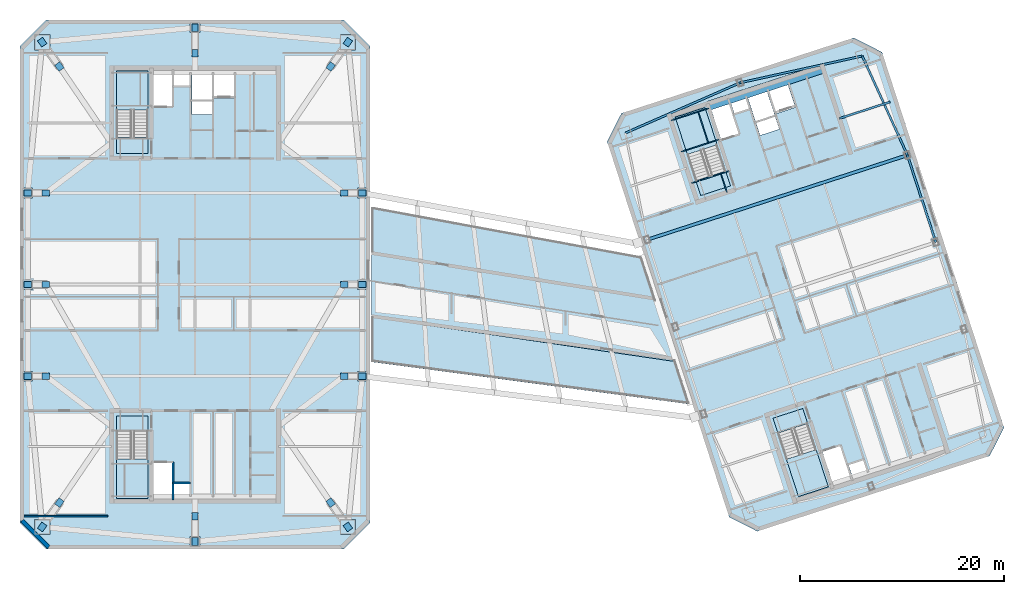
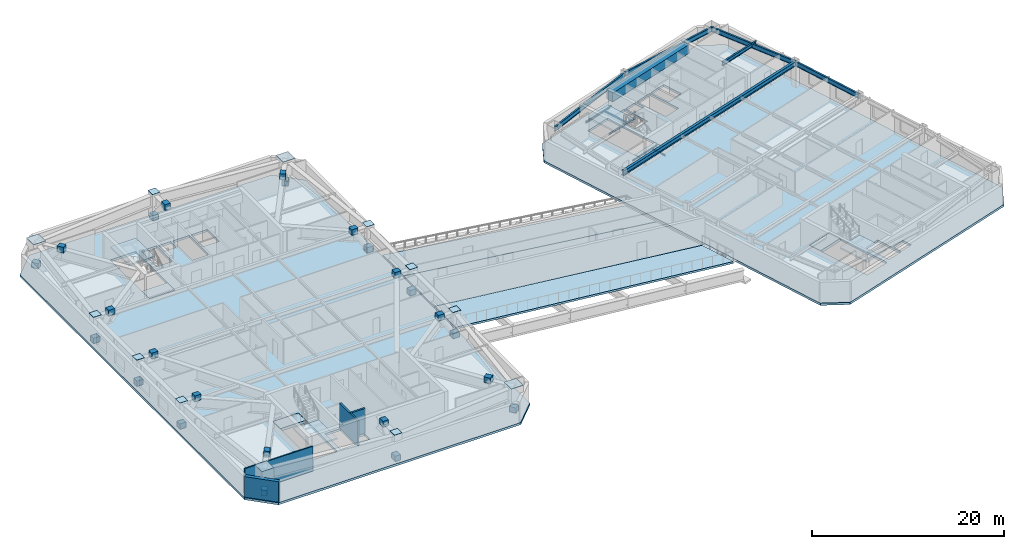
# One storey, part 5 of 18: 36 plates, 13 slabs, 12 beams, 4 walls, 4 elements without a shape of their own.
"""IFC4 building model written with IfcOpenShell, lengths in metres."""

import ifcopenshell
import ifcopenshell.guid

model = None  # the IFC model being written
_history = None  # IfcOwnerHistory: only IFC2X3 demands one
_inside = {}  # id of a spatial element -> (the spatial element, [elements in it])
_under = {}  # id of a project, library or spatial element -> (it, [spatial elements below it])
_declared = {}  # id of a project -> (the project, [libraries it declares])
_typed = {}  # id of a type object -> (the type object, [elements of that type])
_made_of = {}  # id of a material, layer set ... -> (it, [elements and type objects made of it])


def new_model(schema):
    """Start an empty IFC model of exactly this schema.

    Asked for "IFC4X3", IfcOpenShell would pick the latest addendum, in which some entities
    have other attributes; the version numbers below select the first issue.
    IFC2X3 requires an IfcOwnerHistory on every rooted entity: one is made here for all.
    """
    global model, _history
    if schema == "IFC4X3":
        model = ifcopenshell.file(schema_version=(4, 3, 0, 0))
    else:
        model = ifcopenshell.file(schema=schema)
    _inside.clear()
    _under.clear()
    _declared.clear()
    _typed.clear()
    _made_of.clear()
    _history = None
    if model.schema == "IFC2X3":
        org = make("IfcOrganization", Name="unknown")
        user = make(
            "IfcPersonAndOrganization",
            ThePerson=make("IfcPerson", FamilyName="unknown"),
            TheOrganization=org,
        )
        app = make(
            "IfcApplication",
            ApplicationDeveloper=org,
            Version="unknown",
            ApplicationFullName="unknown",
            ApplicationIdentifier="unknown",
        )
        _history = make(
            "IfcOwnerHistory",
            OwningUser=user,
            OwningApplication=app,
            ChangeAction="ADDED",
            CreationDate=0,
        )
    return model


def make(cls, **values):
    """One entity of the class cls with the attributes given. An attribute that is None is left unset."""
    return model.create_entity(
        cls, **{name: value for name, value in values.items() if value is not None}
    )


def rooted(cls, **values):
    """An entity with a GlobalId (a new one), such as an element, a storey or a relation."""
    return make(cls, GlobalId=ifcopenshell.guid.new(), OwnerHistory=_history, **values)


def si_unit(unit_type, name, prefix=None):
    """IfcSIUnit, for example si_unit("LENGTHUNIT", "METRE", prefix="MILLI")."""
    return make("IfcSIUnit", UnitType=unit_type, Prefix=prefix, Name=name)


def assignment(units):
    """IfcUnitAssignment: the units of a project."""
    return None if units is None else make("IfcUnitAssignment", Units=units)


def point(xyz):
    """IfcCartesianPoint."""
    return None if xyz is None else make("IfcCartesianPoint", Coordinates=xyz)


def direction(xyz):
    """IfcDirection."""
    return None if xyz is None else make("IfcDirection", DirectionRatios=xyz)


def frame(location, z_axis=None, x_axis=None):
    """IfcAxis2Placement3D, a coordinate frame: its origin and axes. An axis left out is left unset."""
    return make(
        "IfcAxis2Placement3D",
        Location=point(location),
        Axis=direction(z_axis),
        RefDirection=direction(x_axis),
    )


def frame_2d(location, x_axis=None):
    """IfcAxis2Placement2D, a coordinate frame in the plane: its origin and x axis."""
    return make(
        "IfcAxis2Placement2D", Location=point(location), RefDirection=direction(x_axis)
    )


def origin():
    """The frame at (0, 0, 0) with its axes left unset."""
    return frame((0.0, 0.0, 0.0))


def origin_2d():
    """The frame at (0, 0) in the plane with its x axis left unset."""
    return frame_2d((0.0, 0.0))


def place(relative_to, where):
    """IfcLocalPlacement: puts the frame where relative to a parent placement (None: the world)."""
    return make(
        "IfcLocalPlacement", PlacementRelTo=relative_to, RelativePlacement=where
    )


def context(
    kind, dimensions, precision=None, world=None, true_north=None, identifier=None
):
    """IfcGeometricRepresentationContext, for example the 3D "Model" context."""
    return make(
        "IfcGeometricRepresentationContext",
        ContextIdentifier=identifier,
        ContextType=kind,
        CoordinateSpaceDimension=dimensions,
        Precision=precision,
        WorldCoordinateSystem=world,
        TrueNorth=true_north,
    )


def subcontext(parent, identifier, kind, view, scale=None):
    """IfcGeometricRepresentationSubContext, for example "Body" below "Model"."""
    return make(
        "IfcGeometricRepresentationSubContext",
        ContextIdentifier=identifier,
        ContextType=kind,
        ParentContext=parent,
        TargetScale=scale,
        TargetView=view,
    )


def project(units=None, contexts=None):
    """IfcProject with its units and contexts."""
    return rooted(
        "IfcProject",
        Name="project",
        RepresentationContexts=contexts,
        UnitsInContext=assignment(units),
    )


def spatial(cls, under=None, at=None, **own):
    """A site, building, storey or space (cls), placed at a placement, below another one or the project."""
    s = rooted(cls, ObjectPlacement=at, **own)
    if under is not None:
        _under.setdefault(under.id(), (under, []))[1].append(s)
    return s


def polyline(points):
    """IfcPolyline through the points."""
    return make("IfcPolyline", Points=[point(p) for p in points])


def profile(cls, at=None, kind="AREA", **sizes):
    """A parametric profile (cls). Its sizes go by their IFC names, for example OverallWidth=200.0."""
    return make(cls, ProfileType=kind, Position=at, **sizes)


def rectangle(**sizes):
    """IfcRectangleProfileDef."""
    return profile("IfcRectangleProfileDef", **sizes)


def i_section(**sizes):
    """IfcIShapeProfileDef."""
    return profile("IfcIShapeProfileDef", **sizes)


def outline(outer, holes=None, kind="AREA"):
    """IfcArbitraryClosedProfileDef: a profile drawn as a closed curve; with holes, ...WithVoids."""
    if holes is None:
        return make("IfcArbitraryClosedProfileDef", ProfileType=kind, OuterCurve=outer)
    return make(
        "IfcArbitraryProfileDefWithVoids",
        ProfileType=kind,
        OuterCurve=outer,
        InnerCurves=holes,
    )


def extrude(swept, where, along, depth):
    """IfcExtrudedAreaSolid: the profile swept, set in the frame where, extruded along a direction by depth."""
    return make(
        "IfcExtrudedAreaSolid",
        SweptArea=swept,
        Position=where,
        ExtrudedDirection=direction(along),
        Depth=depth,
    )


def shape(context_of_items, identifier, shape_type, items):
    """IfcShapeRepresentation: the items that make up one representation, for example the "Body"."""
    return make(
        "IfcShapeRepresentation",
        ContextOfItems=context_of_items,
        RepresentationIdentifier=identifier,
        RepresentationType=shape_type,
        Items=items,
    )


def material(Name=None, Category=None):
    """IfcMaterial."""
    return make("IfcMaterial", Name=Name, Category=Category)


def layer(
    of_material, thickness, ventilated=None, Name=None, Category=None, Priority=None
):
    """IfcMaterialLayer: one layer of a wall or slab, of a material (None: an air gap)."""
    return make(
        "IfcMaterialLayer",
        Material=of_material,
        LayerThickness=thickness,
        IsVentilated=ventilated,
        Name=Name,
        Category=Category,
        Priority=Priority,
    )


def layer_set(layers, Name=None):
    """IfcMaterialLayerSet."""
    return make("IfcMaterialLayerSet", MaterialLayers=layers, LayerSetName=Name)


def material_profile(
    of_material, cross_section, Name=None, Category=None, Priority=None
):
    """IfcMaterialProfile: a cross section and its material."""
    return make(
        "IfcMaterialProfile",
        Name=Name,
        Material=of_material,
        Profile=cross_section,
        Priority=Priority,
        Category=Category,
    )


def profile_set(profiles, Name=None, composite=None):
    """IfcMaterialProfileSet."""
    return make(
        "IfcMaterialProfileSet",
        Name=Name,
        MaterialProfiles=profiles,
        CompositeProfile=composite,
    )


def made_of(thing, what):
    """Note that an element or type object is made of a material, layer set ...; save() writes the relation."""
    if what is not None:
        _made_of.setdefault(what.id(), (what, []))[1].append(thing)
    return thing


def type_object(cls, material=None, **own):
    """A type object (cls), such as IfcWallType, which elements share."""
    return made_of(rooted(cls, **own), material)


def element(
    cls,
    number,
    at=None,
    inside=None,
    cuts=None,
    type_object=None,
    material=None,
    context=None,
    identifier="Body",
    shape_type=None,
    held_by="IfcProductDefinitionShape",
    body=None,
    shapes=None,
    **own,
):
    """One element of the class cls, such as IfcWall. Its Tag is "e" and its number.

    at: its placement. inside: the storey or other place that contains it. cuts: it is an
    opening in that element (IfcRelVoidsElement). A single representation is given by context,
    identifier, shape_type and body (its items); several are given by shapes. held_by: the class
    of the entity that holds the representations. save() writes the other relations.
    """
    e = rooted(cls, Tag="e%d" % number, ObjectPlacement=at, **own)
    if body is not None:
        shapes = [shape(context, identifier, shape_type, body)]
    if shapes is not None:
        e.Representation = make(held_by, Representations=shapes)
    if inside is not None:
        _inside.setdefault(inside.id(), (inside, []))[1].append(e)
    if cuts is not None:
        rooted(
            "IfcRelVoidsElement", RelatingBuildingElement=cuts, RelatedOpeningElement=e
        )
    if type_object is not None:
        _typed.setdefault(type_object.id(), (type_object, []))[1].append(e)
    return made_of(e, material)


def aggregate(whole, parts):
    """IfcRelAggregates: a whole, such as a stair, and the parts it consists of."""
    return rooted("IfcRelAggregates", RelatingObject=whole, RelatedObjects=parts)


def save(model, path):
    """Write the relations noted so far, then the file.

    IfcRelAggregates (storeys below a building ...), IfcRelContainedInSpatialStructure (elements
    in a storey), IfcRelDefinesByType, IfcRelAssociatesMaterial and IfcRelDeclares: one each for
    every whole, place, type object, material and project.
    """
    for whole, parts in _under.values():
        aggregate(whole, parts)
    for where, things in _inside.values():
        rooted(
            "IfcRelContainedInSpatialStructure",
            RelatedElements=things,
            RelatingStructure=where,
        )
    for kind, things in _typed.values():
        rooted("IfcRelDefinesByType", RelatedObjects=things, RelatingType=kind)
    for what, things in _made_of.values():
        rooted("IfcRelAssociatesMaterial", RelatedObjects=things, RelatingMaterial=what)
    for by, libraries in _declared.values():
        rooted("IfcRelDeclares", RelatingContext=by, RelatedDefinitions=libraries)
    model.write(path)


model = new_model("IFC4")

# Units and contexts
model_context = context("Model", 3, precision=1e-05, world=origin(), true_north=direction((0.0, 1.0)))
body_context = subcontext(model_context, "Body", "Model", "MODEL_VIEW")
ifc_project = project(units=[si_unit("LENGTHUNIT", "METRE"), si_unit("AREAUNIT", "SQUARE_METRE"), si_unit("VOLUMEUNIT", "CUBIC_METRE"), si_unit("PLANEANGLEUNIT", "RADIAN"), si_unit("MASSUNIT", "GRAM", prefix="KILO")], contexts=[model_context])

# Site, building, storey
site_placement = place(None, origin())
site = spatial("IfcSite", under=ifc_project, at=site_placement, CompositionType="ELEMENT")
building_placement = place(site_placement, origin())
building = spatial("IfcBuilding", under=site, at=building_placement, Name="Qiaolan Cultural Towers", CompositionType="ELEMENT")
storey_placement = place(building_placement, frame((0.0, 0.0, 219.64990234375)))
storey = spatial("IfcBuildingStorey", under=building, at=storey_placement, Name="L59", CompositionType="ELEMENT", Elevation=219.64990234375)

# Beams
ifc_material_1 = material(Name="Steel Q355B", Category="steel")
ifc_material_profile_1 = material_profile(ifc_material_1, i_section(OverallWidth=0.300048828125, OverallDepth=0.587890625, WebThickness=0.011962890625, FlangeThickness=0.02001953125, at=origin_2d()), Name="HM588x300x12x20")
ifc_profile_set_1 = profile_set([ifc_material_profile_1], Name="Steel Q355B")
beam_type_1 = type_object("IfcBeamType", Name="BM-HM588x300x12x20", PredefinedType="BEAM", material=ifc_profile_set_1)
beam_1_placement = place(storey_placement, frame((74.42724609375, 38.4033203125, 2.89599609375), z_axis=(0.951056543098, 0.309016911884, 0.0), x_axis=(-0.309016911884, 0.951056543098, 0.0)))
element("IfcBeam", 1, at=beam_1_placement, inside=storey, type_object=beam_type_1, Name="L59 T2 Primary Transverse Girder V3", PredefinedType="BEAM", context=body_context, shape_type="SweptSolid", body=[
    extrude(i_section(OverallWidth=0.300048828125, OverallDepth=0.587890625, WebThickness=0.011962890625, FlangeThickness=0.02001953125, at=origin_2d()), origin(), (0.0, 0.0, 1.0), 26.89990234375),
])
ifc_material_2 = material(Name="Steel Q355B", Category="steel")
ifc_material_profile_2 = material_profile(ifc_material_2, i_section(OverallWidth=0.199951171875, OverallDepth=0.449951171875, WebThickness=0.009033203125, FlangeThickness=0.013916015625, at=origin_2d()), Name="HN450x200x9x14")
ifc_profile_set_2 = profile_set([ifc_material_profile_2], Name="Steel Q355B")
beam_type_2 = type_object("IfcBeamType", Name="BM-LNT-HN450x200x9x14", PredefinedType="LINTEL", material=ifc_profile_set_2)
beam_2_placement = place(storey_placement, frame((93.31787109375, 50.32421875, 2.965087890625), z_axis=(0.951060037126, 0.309006158161, 0.0), x_axis=(-0.309006158161, 0.951060037126, 0.0)))
element("IfcBeam", 2, at=beam_2_placement, inside=storey, type_object=beam_type_2, Name="L59 T2 Core Flank Tie Lintel EN", PredefinedType="LINTEL", context=body_context, shape_type="SweptSolid", body=[
    extrude(i_section(OverallWidth=0.199951171875, OverallDepth=0.449951171875, WebThickness=0.009033203125, FlangeThickness=0.013916015625, at=origin_2d()), origin(), (0.0, 0.0, 1.0), 5.25),
])
ifc_material_3 = material(Name="Concrete C50", Category="concrete")
ifc_material_profile_3 = material_profile(ifc_material_3, rectangle(XDim=0.89990234375, YDim=1.10009765625, at=origin_2d()), Name="RC900x1100")
ifc_profile_set_3 = profile_set([ifc_material_profile_3], Name="Concrete C50")
beam_type_3 = type_object("IfcBeamType", Name="BM-RC900x1100", PredefinedType="BEAM", material=ifc_profile_set_3)
beam_3_placement = place(storey_placement, frame((80.427978515625, 51.551025390625, 2.64013671875), z_axis=(0.951056266386, 0.309017763514, 0.0), x_axis=(-0.309017763514, 0.951056266386, 0.0)))
element("IfcBeam", 3, at=beam_3_placement, inside=storey, type_object=beam_type_3, Name="L59 T2 Core Header Girder N", PredefinedType="BEAM", context=body_context, shape_type="SweptSolid", body=[
    extrude(rectangle(XDim=0.89990234375, YDim=1.10009765625, at=origin_2d()), origin(), (0.0, 0.0, 1.0), 11.880126953125),
])
ifc_material_4 = material(Name="Steel Q355B", Category="steel")
ifc_material_profile_4 = material_profile(ifc_material_4, i_section(OverallWidth=0.199951171875, OverallDepth=0.60009765625, WebThickness=0.010986328125, FlangeThickness=0.01708984375, at=origin_2d()), Name="HN600x200x11x17")
ifc_profile_set_4 = profile_set([ifc_material_profile_4], Name="Steel Q355B")
beam_type_4 = type_object("IfcBeamType", Name="BM-SPD-HN600x200x11x17", PredefinedType="SPANDREL", material=ifc_profile_set_4)
beam_4_placement = place(storey_placement, frame((102.791748046875, 38.15625, 2.89013671875), z_axis=(-0.309024734286, 0.951054001411, 0.0), x_axis=(-0.951054001411, -0.309024734286, 0.0)))
element("IfcBeam", 4, at=beam_4_placement, inside=storey, type_object=beam_type_4, Name="L59 T2 Perimeter Spandrel Beam 5", PredefinedType="SPANDREL", context=body_context, shape_type="SweptSolid", body=[
    extrude(i_section(OverallWidth=0.199951171875, OverallDepth=0.60009765625, WebThickness=0.010986328125, FlangeThickness=0.01708984375, at=origin_2d()), origin(), (0.0, 0.0, 1.0), 9.0),
])
beam_5_placement = place(storey_placement, frame((100.010498046875, 46.7158203125, 2.89013671875), z_axis=(-0.414500208282, 0.910049216985, 0.0), x_axis=(-0.910049216985, -0.414500208282, 0.0)))
element("IfcBeam", 5, at=beam_5_placement, inside=storey, type_object=beam_type_4, Name="L59 T2 Perimeter Spandrel Beam 6", PredefinedType="SPANDREL", context=body_context, shape_type="SweptSolid", body=[
    extrude(i_section(OverallWidth=0.199951171875, OverallDepth=0.60009765625, WebThickness=0.010986328125, FlangeThickness=0.01708984375, at=origin_2d()), origin(), (0.0, 0.0, 1.0), 10.70849609375),
])
beam_6_placement = place(storey_placement, frame((95.57177734375, 56.461181640625, 2.89013671875), z_axis=(-0.976843395078, -0.213955559619, 0.0), x_axis=(0.213955559619, -0.976843395078, 0.0)))
element("IfcBeam", 6, at=beam_6_placement, inside=storey, type_object=beam_type_4, Name="L59 T2 Perimeter Spandrel Beam 7", PredefinedType="SPANDREL", context=body_context, shape_type="SweptSolid", body=[
    extrude(i_section(OverallWidth=0.199951171875, OverallDepth=0.60009765625, WebThickness=0.010986328125, FlangeThickness=0.01708984375, at=origin_2d()), origin(), (0.0, 0.0, 1.0), 12.2998046875),
])
beam_7_placement = place(storey_placement, frame((83.556884765625, 53.82958984375, 2.89013671875), z_axis=(-0.916042038824, -0.401082264762, 0.0), x_axis=(0.401082264762, -0.916042038824, 0.0)))
element("IfcBeam", 7, at=beam_7_placement, inside=storey, type_object=beam_type_4, Name="L59 T2 Perimeter Spandrel Beam 8", PredefinedType="SPANDREL", context=body_context, shape_type="SweptSolid", body=[
    extrude(i_section(OverallWidth=0.199951171875, OverallDepth=0.60009765625, WebThickness=0.010986328125, FlangeThickness=0.01708984375, at=origin_2d()), origin(), (0.0, 0.0, 1.0), 12.299560546875),
])
ifc_material_5 = material(Name="Steel Q355B", Category="steel")
ifc_material_profile_5 = material_profile(ifc_material_5, i_section(OverallWidth=0.10009765625, OverallDepth=0.199951171875, WebThickness=0.005615234375, FlangeThickness=0.008056640625, at=origin_2d()), Name="HN200x100x5.5x8")
ifc_profile_set_5 = profile_set([ifc_material_profile_5], Name="Steel Q355B")
beam_type_5 = type_object("IfcBeamType", Name="BM-STTRIM-200", PredefinedType="BEAM", material=ifc_profile_set_5)
beam_8_placement = place(storey_placement, frame((78.773193359375, 43.958251953125, -0.4599609375), z_axis=(0.951072048947, 0.3089691857, 0.0), x_axis=(-0.3089691857, 0.951072048947, 0.0)))
element("IfcBeam", 8, at=beam_8_placement, inside=storey, type_object=beam_type_5, Name="L59 ST-E2 Floor Landing Header Beam", PredefinedType="BEAM", context=body_context, shape_type="SweptSolid", body=[
    extrude(i_section(OverallWidth=0.10009765625, OverallDepth=0.199951171875, WebThickness=0.005615234375, FlangeThickness=0.008056640625, at=origin_2d()), origin(), (0.0, 0.0, 1.0), 3.920166015625),
])
beam_9_placement = place(storey_placement, frame((82.2734375, 43.0556640625, -0.4599609375), z_axis=(-0.308969394428, 0.951071981138, 0.0), x_axis=(-0.951071981138, -0.308969394428, 0.0)))
element("IfcBeam", 9, at=beam_9_placement, inside=storey, type_object=beam_type_5, Name="L59 ST-E2 Floor Landing Stringer 2", PredefinedType="BEAM", context=body_context, shape_type="SweptSolid", body=[
    extrude(i_section(OverallWidth=0.10009765625, OverallDepth=0.199951171875, WebThickness=0.005615234375, FlangeThickness=0.008056640625, at=origin_2d()), origin(), (0.0, 0.0, 1.0), 1.93994140625),
])
for number, where, z_axis, x_axis, name in (
    (10, (77.769287109375, 47.0478515625, 1.425048828125), (0.951053746643, 0.309025518358, 0.0), (-0.309025518358, 0.951053746643, 0.0), "L59 ST-E2 Stair Landing Support Beam 1-1"),
    (11, (76.770751953125, 50.12109375, 1.425048828125), (0.951072048947, 0.3089691857, 0.0), (-0.3089691857, 0.951072048947, 0.0), "L59 ST-E2 Stair Landing Support Beam 1-2"),
):
    element("IfcBeam", number, at=place(storey_placement, frame(where, z_axis=z_axis, x_axis=x_axis)), inside=storey, type_object=beam_type_5, Name=name, PredefinedType="BEAM", context=body_context, shape_type="SweptSolid", body=[
        extrude(i_section(OverallWidth=0.10009765625, OverallDepth=0.199951171875, WebThickness=0.005615234375, FlangeThickness=0.008056640625, at=origin_2d()), origin(), (0.0, 0.0, 1.0), 3.920166015625),
    ])
beam_10_placement = place(storey_placement, frame((80.44189453125, 47.916259765625, 1.425048828125), z_axis=(-0.309033108495, 0.951051280349, 0.0), x_axis=(-0.951051280349, -0.309033108495, 0.0)))
element("IfcBeam", 12, at=beam_10_placement, inside=storey, type_object=beam_type_5, Name="L59 ST-E2 Stair Landing Trimmer 1", PredefinedType="BEAM", context=body_context, shape_type="SweptSolid", body=[
    extrude(i_section(OverallWidth=0.10009765625, OverallDepth=0.199951171875, WebThickness=0.005615234375, FlangeThickness=0.008056640625, at=origin_2d()), origin(), (0.0, 0.0, 1.0), 3.231201171875),
])

# Plates
ifc_material_6 = material(Name="Steel Q355B", Category="steel")
ifc_layer_1 = layer(ifc_material_6, 0.035888671875)
ifc_layer_set_1 = layer_set([ifc_layer_1], Name="Steel Q355B")
plate_type_1 = type_object("IfcPlateType", Name="PL-CONN-36", PredefinedType="USERDEFINED", material=ifc_layer_set_1)
for number, where, z_axis, x_axis, name in (
    (13, (14.97998046875, 10.179931640625, -0.06982421875), (0.0, 0.0, 1.0), (0.577353636836, 0.816494199632, 0.0), "L59 Brace End Connection Gusset Plate GP-02-0172"),
    (14, (16.669921875, 12.570068359375, 2.85986328125), (0.0, 0.0, 1.0), (0.577353636836, 0.816494199632, 0.0), "L59 Brace End Connection Gusset Plate GP-02-0173"),
    (15, (45.02001953125, 10.179931640625, -0.06982421875), (0.0, 0.0, 1.0), (-0.577353636836, 0.816494199632, 0.0), "L59 Brace End Connection Gusset Plate GP-02-0174"),
    (16, (43.330078125, 12.570068359375, 2.85986328125), (0.0, 0.0, 1.0), (-0.577353636836, 0.816494199632, 0.0), "L59 Brace End Connection Gusset Plate GP-02-0175"),
    (17, (45.02001953125, 57.820068359375, -0.06982421875), (0.0, 0.0, 1.0), (0.577353636836, 0.816494199632, 0.0), "L59 Brace End Connection Gusset Plate GP-02-0176"),
    (18, (43.330078125, 55.429931640625, 2.85986328125), (0.0, 0.0, 1.0), (0.577353636836, 0.816494199632, 0.0), "L59 Brace End Connection Gusset Plate GP-02-0177"),
    (19, (14.97998046875, 57.820068359375, -0.06982421875), (0.0, 0.0, 1.0), (-0.577353636836, 0.816494199632, 0.0), "L59 Brace End Connection Gusset Plate GP-02-0178"),
    (20, (16.669921875, 55.429931640625, 2.85986328125), (0.0, 0.0, 1.0), (-0.577353636836, 0.816494199632, 0.0), "L59 Brace End Connection Gusset Plate GP-02-0179"),
    (21, (13.550048828125, 25.0, -0.06982421875), (0.0, 0.0, 1.0), (1.0, 0.0, 0.0), "L59 Brace End Connection Gusset Plate GP-02-0180"),
    (22, (15.35009765625, 25.0, 2.85986328125), (0.0, 0.0, 1.0), (1.0, 0.0, 0.0), "L59 Brace End Connection Gusset Plate GP-02-0181"),
    (23, (13.550048828125, 34.0, -0.06982421875), (0.0, 0.0, 1.0), (1.0, 0.0, 0.0), "L59 Brace End Connection Gusset Plate GP-02-0182"),
    (24, (15.35009765625, 34.0, 2.85986328125), (0.0, 0.0, 1.0), (1.0, 0.0, 0.0), "L59 Brace End Connection Gusset Plate GP-02-0183"),
    (25, (13.550048828125, 43.0, -0.06982421875), (0.0, 0.0, 1.0), (1.0, 0.0, 0.0), "L59 Brace End Connection Gusset Plate GP-02-0184"),
    (26, (15.35009765625, 43.0, 2.85986328125), (0.0, 0.0, 1.0), (1.0, 0.0, 0.0), "L59 Brace End Connection Gusset Plate GP-02-0185"),
    (27, (46.449951171875, 25.0, -0.06982421875), (0.0, 0.0, 1.0), (1.0, 0.0, 0.0), "L59 Brace End Connection Gusset Plate GP-02-0186"),
    (28, (44.64990234375, 25.0, 2.85986328125), (0.0, 0.0, 1.0), (1.0, 0.0, 0.0), "L59 Brace End Connection Gusset Plate GP-02-0187"),
    (29, (46.449951171875, 34.0, -0.06982421875), (0.0, 0.0, 1.0), (1.0, 0.0, 0.0), "L59 Brace End Connection Gusset Plate GP-02-0188"),
    (30, (44.64990234375, 34.0, 2.85986328125), (0.0, 0.0, 1.0), (1.0, 0.0, 0.0), "L59 Brace End Connection Gusset Plate GP-02-0189"),
    (31, (46.449951171875, 43.0, -0.06982421875), (0.0, 0.0, 1.0), (1.0, 0.0, 0.0), "L59 Brace End Connection Gusset Plate GP-02-0190"),
    (32, (44.64990234375, 43.0, 2.85986328125), (0.0, 0.0, 1.0), (1.0, 0.0, 0.0), "L59 Brace End Connection Gusset Plate GP-02-0191"),
    (33, (30.0, 8.75, -0.06982421875), (0.0, 0.0, 1.0), (0.0, 1.0, 0.0), "L59 Brace End Connection Gusset Plate GP-02-0192"),
    (34, (30.0, 11.25, 2.85986328125), (0.0, 0.0, 1.0), (0.0, 1.0, 0.0), "L59 Brace End Connection Gusset Plate GP-02-0193"),
    (35, (30.0, 59.25, -0.06982421875), (0.0, 0.0, 1.0), (0.0, 1.0, 0.0), "L59 Brace End Connection Gusset Plate GP-02-0194"),
    (36, (30.0, 56.75, 2.85986328125), (0.0, 0.0, 1.0), (0.0, 1.0, 0.0), "L59 Brace End Connection Gusset Plate GP-02-0195"),
):
    element("IfcPlate", number, at=place(storey_placement, frame(where, z_axis=z_axis, x_axis=x_axis)), inside=storey, type_object=plate_type_1, Name=name, ObjectType="GUSSET_PLATE", PredefinedType="USERDEFINED", context=body_context, shape_type="SweptSolid", body=[
        extrude(rectangle(XDim=0.739990234375, YDim=0.6201171875, at=origin_2d()), origin(), (0.0, 0.0, 1.0), 0.739990234375),
    ])
ifc_material_7 = material(Name="Steel Q355B", Category="steel")
ifc_layer_2 = layer(ifc_material_7, 0.030029296875)
ifc_layer_set_2 = layer_set([ifc_layer_2], Name="Steel Q355B")
plate_type_2 = type_object("IfcPlateType", Name="PL-ENDCAP-30", PredefinedType="USERDEFINED", material=ifc_layer_set_2)
for number, where, z_axis, x_axis, name in (
    (37, (14.97998046875, 10.179931640625, 3.451171875), (0.0, 0.0, 1.0), (1.0, 0.0, 0.0), "Tower Box Column Transition Seal Cap Plate CP-01"),
    (38, (45.02001953125, 10.179931640625, 3.451171875), (0.0, 0.0, 1.0), (1.0, 0.0, 0.0), "Tower Box Column Transition Seal Cap Plate CP-01"),
    (39, (45.02001953125, 57.820068359375, 3.451171875), (0.0, 0.0, 1.0), (1.0, 0.0, 0.0), "Tower Box Column Transition Seal Cap Plate CP-01"),
    (40, (14.97998046875, 57.820068359375, 3.451171875), (0.0, 0.0, 1.0), (1.0, 0.0, 0.0), "Tower Box Column Transition Seal Cap Plate CP-01"),
):
    element("IfcPlate", number, at=place(storey_placement, frame(where, z_axis=z_axis, x_axis=x_axis)), inside=storey, type_object=plate_type_2, Name=name, ObjectType="BASE_PLATE", PredefinedType="USERDEFINED", context=body_context, shape_type="SweptSolid", body=[
        extrude(rectangle(XDim=1.489990234375, YDim=1.489990234375, at=origin_2d()), origin(), (0.0, 0.0, 1.0), 0.030029296875),
    ])
for number, where, z_axis, x_axis, name in (
    (41, (13.550048828125, 25.0, 3.451171875), (0.0, 0.0, 1.0), (1.0, 0.0, 0.0), "Tower Box Column Transition Seal Cap Plate CP-01"),
    (42, (13.550048828125, 34.0, 3.451171875), (0.0, 0.0, 1.0), (1.0, 0.0, 0.0), "Tower Box Column Transition Seal Cap Plate CP-01"),
    (43, (13.550048828125, 43.0, 3.451171875), (0.0, 0.0, 1.0), (1.0, 0.0, 0.0), "Tower Box Column Transition Seal Cap Plate CP-01"),
    (44, (46.449951171875, 25.0, 3.451171875), (0.0, 0.0, 1.0), (1.0, 0.0, 0.0), "Tower Box Column Transition Seal Cap Plate CP-01"),
    (45, (46.449951171875, 34.0, 3.451171875), (0.0, 0.0, 1.0), (1.0, 0.0, 0.0), "Tower Box Column Transition Seal Cap Plate CP-01"),
    (46, (46.449951171875, 43.0, 3.451171875), (0.0, 0.0, 1.0), (1.0, 0.0, 0.0), "Tower Box Column Transition Seal Cap Plate CP-01"),
    (47, (30.0, 8.75, 3.451171875), (0.0, 0.0, 1.0), (1.0, 0.0, 0.0), "Tower Box Column Transition Seal Cap Plate CP-01"),
    (48, (30.0, 59.25, 3.451171875), (0.0, 0.0, 1.0), (1.0, 0.0, 0.0), "Tower Box Column Transition Seal Cap Plate CP-01"),
):
    element("IfcPlate", number, at=place(storey_placement, frame(where, z_axis=z_axis, x_axis=x_axis)), inside=storey, type_object=plate_type_2, Name=name, ObjectType="BASE_PLATE", PredefinedType="USERDEFINED", context=body_context, shape_type="SweptSolid", body=[
        extrude(rectangle(XDim=0.93994140625, YDim=0.93994140625, at=origin_2d()), origin(), (0.0, 0.0, 1.0), 0.030029296875),
    ])

# Slabs
ifc_material_8 = material(Name="Concrete C50", Category="concrete")
ifc_layer_3 = layer(ifc_material_8, 0.280029296875)
ifc_layer_set_3 = layer_set([ifc_layer_3], Name="Concrete C50")
slab_type_1 = type_object("IfcSlabType", Name="SL-BRG-280", PredefinedType="FLOOR", material=ifc_layer_set_3)
slab_1_placement = place(storey_placement, frame((0.0, 0.0, -0.27978515625)))
element("IfcSlab", 49, at=slab_1_placement, inside=storey, type_object=slab_type_1, Name="L59 Sky Park Pavilion Interior Slab", PredefinedType="FLOOR", context=body_context, shape_type="SweptSolid", body=[
    extrude(outline(polyline([(47.35009765625, 30.800048828125), (77.103515625, 26.445068359375), (75.125732421875, 32.53173828125), (47.35009765625, 37.199951171875), (47.35009765625, 30.800048828125)])), origin(), (0.0, 0.0, 1.0), 0.27978515625),
])
ifc_material_9 = material(Name="Concrete C45", Category="concrete")
ifc_layer_4 = layer(ifc_material_9, 0.25)
ifc_layer_set_4 = layer_set([ifc_layer_4], Name="Concrete C45")
slab_type_2 = type_object("IfcSlabType", Name="SL-PK-TERR-250", PredefinedType="FLOOR", material=ifc_layer_set_4)
slab_2_placement = place(storey_placement, frame((0.0, 0.0, -0.25)))
element("IfcSlab", 50, at=slab_2_placement, inside=storey, type_object=slab_type_2, Name="L59 Sky Park South Planted Observation Terrace", PredefinedType="FLOOR", context=body_context, shape_type="SweptSolid", body=[
    extrude(outline(polyline([(47.35009765625, 26.39990234375), (78.463134765625, 22.26025390625), (77.103515625, 26.445068359375), (47.35009765625, 30.800048828125), (47.35009765625, 26.39990234375)])), origin(), (0.0, 0.0, 1.0), 0.25),
])
slab_3_placement = place(storey_placement, frame((0.0, 0.0, -0.25)))
element("IfcSlab", 51, at=slab_3_placement, inside=storey, type_object=slab_type_2, Name="L59 Sky Park North Planted Observation Terrace", PredefinedType="FLOOR", context=body_context, shape_type="SweptSolid", body=[
    extrude(outline(polyline([(47.35009765625, 37.199951171875), (75.125732421875, 32.53173828125), (73.76611328125, 36.71630859375), (47.35009765625, 41.60009765625), (47.35009765625, 37.199951171875)])), origin(), (0.0, 0.0, 1.0), 0.25),
])
ifc_material_10 = material(Name="Concrete C50", Category="concrete")
ifc_layer_5 = layer(ifc_material_10, 0.280029296875)
ifc_layer_set_5 = layer_set([ifc_layer_5], Name="Concrete C50")
slab_type_3 = type_object("IfcSlabType", Name="SL-REF-280", PredefinedType="FLOOR", material=ifc_layer_set_5)
slab_4_placement = place(storey_placement, frame((0.0, 0.0, -0.27978515625)))
element("IfcSlab", 52, at=slab_4_placement, inside=storey, type_object=slab_type_3, Name="L59 West Tower Floor Slab", PredefinedType="FLOOR", context=body_context, shape_type="SweptSolid", body=[
    extrude(outline(polyline([(15.39990234375, 8.0), (44.60009765625, 8.0), (47.199951171875, 10.60009765625), (47.199951171875, 57.39990234375), (44.60009765625, 60.0), (15.39990234375, 60.0), (12.800048828125, 57.39990234375), (12.800048828125, 10.60009765625), (15.39990234375, 8.0)]), holes=[polyline([(22.300048828125, 21.10009765625), (22.300048828125, 13.0), (25.3798828125, 13.0), (25.3798828125, 21.10009765625), (22.300048828125, 21.10009765625)]), polyline([(25.3798828125, 46.89990234375), (25.3798828125, 55.0), (22.300048828125, 55.0), (22.300048828125, 46.89990234375), (25.3798828125, 46.89990234375)]), polyline([(25.89990234375, 13.199951171875), (27.75, 13.199951171875), (27.75, 16.449951171875), (25.89990234375, 16.449951171875), (25.89990234375, 13.199951171875)]), polyline([(27.93994140625, 13.25), (29.449951171875, 13.25), (29.449951171875, 14.419921875), (27.93994140625, 14.419921875), (27.93994140625, 13.25)]), polyline([(25.89990234375, 51.550048828125), (27.75, 51.550048828125), (27.75, 54.800048828125), (25.89990234375, 54.800048828125), (25.89990234375, 51.550048828125)]), polyline([(27.93994140625, 53.580078125), (29.449951171875, 53.580078125), (29.449951171875, 54.75), (27.93994140625, 54.75), (27.93994140625, 53.580078125)]), polyline([(31.8798828125, 52.27001953125), (33.820068359375, 52.27001953125), (33.820068359375, 54.75), (31.8798828125, 54.75), (31.8798828125, 52.27001953125)]), polyline([(29.679931640625, 50.719970703125), (31.659912109375, 50.719970703125), (31.659912109375, 54.75), (29.679931640625, 54.75), (29.679931640625, 50.719970703125)])]), origin(), (0.0, 0.0, 1.0), 0.27978515625),
])
slab_5_placement = place(storey_placement, frame((0.0, 0.0, -0.27978515625)))
element("IfcSlab", 53, at=slab_5_placement, inside=storey, type_object=slab_type_3, Name="L59 East Tower Floor Slab", PredefinedType="FLOOR", context=body_context, shape_type="SweptSolid", body=[
    extrude(outline(polyline([(85.26220703125, 9.7490234375), (108.08740234375, 17.165283203125), (109.5, 19.9375), (97.510009765625, 56.838623046875), (94.73779296875, 58.2509765625), (71.91259765625, 50.834716796875), (70.5, 48.0625), (82.489990234375, 11.161376953125), (85.26220703125, 9.7490234375)]), holes=[polyline([(86.80126953125, 20.868896484375), (89.30419921875, 13.165283203125), (92.2333984375, 14.116943359375), (89.73046875, 21.820556640625), (86.80126953125, 20.868896484375)]), polyline([(82.623046875, 43.69482421875), (80.1201171875, 51.3984375), (77.190673828125, 50.44677734375), (79.69384765625, 42.7431640625), (82.623046875, 43.69482421875)]), polyline([(92.666259765625, 14.468017578125), (94.42578125, 15.03955078125), (93.42138671875, 18.130615234375), (91.661865234375, 17.558837890625), (92.666259765625, 14.468017578125)]), polyline([(94.5908203125, 15.14599609375), (96.027099609375, 15.612548828125), (95.66552734375, 16.725341796875), (94.2294921875, 16.258544921875), (94.5908203125, 15.14599609375)]), polyline([(81.6806640625, 48.278076171875), (83.440185546875, 48.849609375), (82.435791015625, 51.940673828125), (80.67626953125, 51.368896484375), (81.6806640625, 48.278076171875)]), polyline([(82.993408203125, 50.839111328125), (84.4296875, 51.3056640625), (84.068115234375, 52.41845703125), (82.632080078125, 51.95166015625), (82.993408203125, 50.839111328125)]), polyline([(87.1455078125, 50.810791015625), (88.990478515625, 51.41015625), (88.22412109375, 53.768798828125), (86.379150390625, 53.169189453125), (87.1455078125, 50.810791015625)]), polyline([(85.5322265625, 48.65673828125), (87.415283203125, 49.2685546875), (86.169921875, 53.101318359375), (84.286865234375, 52.489501953125), (85.5322265625, 48.65673828125)])]), origin(), (0.0, 0.0, 1.0), 0.27978515625),
])

# Stair, slab
ifc_material_11 = material(Name="Concrete C45", Category="concrete")
stair_type = type_object("IfcStairType", Name="STR-CORE-1500", PredefinedType="HALF_TURN_STAIR", material=ifc_material_11)
stair_1_placement = place(storey_placement, origin())
stair_1 = element("IfcStair", 54, at=stair_1_placement, inside=storey, type_object=stair_type, Name="L59 Smokeproof Exit Stair ST-W1", PredefinedType="HALF_TURN_STAIR")
ifc_material_12 = material(Name="Concrete C45", Category="concrete")
ifc_layer_6 = layer(ifc_material_12, 0.199951171875)
ifc_layer_set_6 = layer_set([ifc_layer_6], Name="Concrete C45")
slab_type_4 = type_object("IfcSlabType", Name="SL-STAIR-LAND", PredefinedType="LANDING", material=ifc_layer_set_6)
slab_6_placement = place(storey_placement, frame((0.0, 0.0, 1.525146484375)))
slab_6 = element("IfcSlab", 55, at=slab_6_placement, type_object=slab_type_4, Name="ST-W1 landing 1", PredefinedType="LANDING", context=body_context, shape_type="SweptSolid", body=[
    extrude(outline(polyline([(22.300048828125, 16.851318359375), (22.300048828125, 13.0), (25.3798828125, 13.0), (25.3798828125, 16.851318359375), (22.300048828125, 16.851318359375)])), origin(), (0.0, 0.0, 1.0), 0.199951171875),
])
aggregate(stair_1, [slab_6])

stair_2_placement = place(storey_placement, origin())
stair_2 = element("IfcStair", 56, at=stair_2_placement, inside=storey, type_object=stair_type, Name="L59 Smokeproof Exit Stair ST-W2", PredefinedType="HALF_TURN_STAIR")
slab_7_placement = place(storey_placement, frame((0.0, 0.0, 1.525146484375)))
slab_7 = element("IfcSlab", 57, at=slab_7_placement, type_object=slab_type_4, Name="ST-W2 landing 1", PredefinedType="LANDING", context=body_context, shape_type="SweptSolid", body=[
    extrude(outline(polyline([(25.3798828125, 51.148681640625), (25.3798828125, 55.0), (22.300048828125, 55.0), (22.300048828125, 51.148681640625), (25.3798828125, 51.148681640625)])), origin(), (0.0, 0.0, 1.0), 0.199951171875),
])
aggregate(stair_2, [slab_7])

stair_3_placement = place(storey_placement, origin())
stair_3 = element("IfcStair", 58, at=stair_3_placement, inside=storey, type_object=stair_type, Name="L59 Smokeproof Exit Stair ST-E1", PredefinedType="HALF_TURN_STAIR")
slab_8_placement = place(storey_placement, frame((0.0, 0.0, 1.525146484375)))
slab_8 = element("IfcSlab", 59, at=slab_8_placement, type_object=slab_type_4, Name="ST-E1 landing 1", PredefinedType="LANDING", context=body_context, shape_type="SweptSolid", body=[
    extrude(outline(polyline([(88.114013671875, 16.828125), (89.30419921875, 13.165283203125), (92.2333984375, 14.116943359375), (91.04345703125, 17.77978515625), (88.114013671875, 16.828125)])), origin(), (0.0, 0.0, 1.0), 0.199951171875),
])
aggregate(stair_3, [slab_8])

stair_4_placement = place(storey_placement, origin())
stair_4 = element("IfcStair", 60, at=stair_4_placement, inside=storey, type_object=stair_type, Name="L59 Smokeproof Exit Stair ST-E2", PredefinedType="HALF_TURN_STAIR")
slab_9_placement = place(storey_placement, frame((0.0, 0.0, 1.525146484375)))
slab_9 = element("IfcSlab", 61, at=slab_9_placement, type_object=slab_type_4, Name="ST-E2 landing 1", PredefinedType="LANDING", context=body_context, shape_type="SweptSolid", body=[
    extrude(outline(polyline([(81.31005859375, 47.735595703125), (80.1201171875, 51.3984375), (77.190673828125, 50.44677734375), (78.380859375, 46.783935546875), (81.31005859375, 47.735595703125)])), origin(), (0.0, 0.0, 1.0), 0.199951171875),
])
aggregate(stair_4, [slab_9])

# Slabs
ifc_material_13 = material(Name="Concrete C40", Category="concrete")
ifc_layer_7 = layer(ifc_material_13, 0.360107421875)
ifc_layer_set_7 = layer_set([ifc_layer_7], Name="Concrete C40")
slab_type_5 = type_object("IfcSlabType", Name="SL-STFLR-360", PredefinedType="LANDING", material=ifc_layer_set_7)
slab_10_placement = place(storey_placement, frame((0.0, 0.0, -0.35986328125)))
element("IfcSlab", 62, at=slab_10_placement, inside=storey, type_object=slab_type_5, Name="L59 ST-W1 Stair Floor Landing Slab", PredefinedType="LANDING", context=body_context, shape_type="SweptSolid", body=[
    extrude(outline(polyline([(22.302001953125, 21.097900390625), (22.302001953125, 19.548583984375), (25.3779296875, 19.548583984375), (25.3779296875, 21.097900390625), (22.302001953125, 21.097900390625)])), origin(), (0.0, 0.0, 1.0), 0.35986328125),
])
slab_11_placement = place(storey_placement, frame((0.0, 0.0, -0.35986328125)))
element("IfcSlab", 63, at=slab_11_placement, inside=storey, type_object=slab_type_5, Name="L59 ST-W2 Stair Floor Landing Slab", PredefinedType="LANDING", context=body_context, shape_type="SweptSolid", body=[
    extrude(outline(polyline([(25.3779296875, 46.902099609375), (25.3779296875, 48.451416015625), (22.302001953125, 48.451416015625), (22.302001953125, 46.902099609375), (25.3779296875, 46.902099609375)])), origin(), (0.0, 0.0, 1.0), 0.35986328125),
])
slab_12_placement = place(storey_placement, frame((0.0, 0.0, -0.35986328125)))
element("IfcSlab", 64, at=slab_12_placement, inside=storey, type_object=slab_type_5, Name="L59 ST-E1 Stair Floor Landing Slab", PredefinedType="LANDING", context=body_context, shape_type="SweptSolid", body=[
    extrude(outline(polyline([(86.8037109375, 20.867431640625), (87.282470703125, 19.39404296875), (90.2080078125, 20.3447265625), (89.729248046875, 21.818115234375), (86.8037109375, 20.867431640625)])), origin(), (0.0, 0.0, 1.0), 0.35986328125),
])
slab_13_placement = place(storey_placement, frame((0.0, 0.0, -0.35986328125)))
element("IfcSlab", 65, at=slab_13_placement, inside=storey, type_object=slab_type_5, Name="L59 ST-E2 Stair Floor Landing Slab", PredefinedType="LANDING", context=body_context, shape_type="SweptSolid", body=[
    extrude(outline(polyline([(82.62060546875, 43.6962890625), (82.141845703125, 45.169677734375), (79.21630859375, 44.21923828125), (79.695068359375, 42.74560546875), (82.62060546875, 43.6962890625)])), origin(), (0.0, 0.0, 1.0), 0.35986328125),
])

# Walls
ifc_material_14 = material(Name="Precast Concrete C50 Honed Stone Pier", Category="masonry")
ifc_layer_8 = layer(ifc_material_14, 0.39990234375)
ifc_layer_set_8 = layer_set([ifc_layer_8], Name="Precast Concrete C50 Honed Stone Pier")
wall_type_1 = type_object("IfcWallType", Name="WL-EXT-PIER-400", PredefinedType="SOLIDWALL", material=ifc_layer_set_8)
wall_1_placement = place(storey_placement, frame((15.60009765625, 8.199951171875, 0.0), z_axis=(0.0, 0.0, 1.0), x_axis=(-0.707106781187, 0.707106781187, 0.0)))
element("IfcWall", 66, at=wall_1_placement, inside=storey, type_object=wall_type_1, Name="L59 West Tower Precast Pier Facade Wall F8", PredefinedType="SOLIDWALL", context=body_context, shape_type="SweptSolid", body=[
    extrude(rectangle(XDim=3.677001953125, YDim=0.39990234375, at=frame_2d((1.83837890625, 0.0))), origin(), (0.0, 0.0, 1.0), 2.610107421875),
])
ifc_material_15 = material(Name="Concrete C35 Fire Wall", Category="concrete")
ifc_layer_9 = layer(ifc_material_15, 0.199951171875)
ifc_layer_set_9 = layer_set([ifc_layer_9], Name="Concrete C35 Fire Wall")
wall_type_2 = type_object("IfcWallType", Name="WL-FIRE-200", PredefinedType="PARTITIONING", material=ifc_layer_set_9)
wall_2_placement = place(storey_placement, frame((27.820068359375, 16.550048828125, 0.0), z_axis=(0.0, 0.0, 1.0), x_axis=(0.0, -1.0, 0.0)))
element("IfcWall", 67, at=wall_2_placement, inside=storey, type_object=wall_type_2, Name="L59 T1-CS Firefighting Hoistway East Wall", PredefinedType="PARTITIONING", context=body_context, shape_type="SweptSolid", body=[
    extrude(rectangle(XDim=3.699951171875, YDim=0.199951171875, at=frame_2d((1.85009765625, 0.0))), origin(), (0.0, 0.0, 1.0), 3.175048828125),
])
wall_3_placement = place(storey_placement, frame((27.820068359375, 14.52001953125, 0.0), z_axis=(0.0, 0.0, 1.0), x_axis=(1.0, 0.0, 0.0)))
element("IfcWall", 68, at=wall_3_placement, inside=storey, type_object=wall_type_2, Name="L59 T1-CS Pressurization Shaft Front Wall", PredefinedType="PARTITIONING", context=body_context, shape_type="SweptSolid", body=[
    extrude(rectangle(XDim=1.72998046875, YDim=0.199951171875, at=frame_2d((0.864990234375, 0.0))), origin(), (0.0, 0.0, 1.0), 3.175048828125),
])
ifc_material_16 = material(Name="Autoclaved Aerated Concrete Block B06", Category="concrete")
ifc_layer_10 = layer(ifc_material_16, 0.14990234375)
ifc_layer_set_10 = layer_set([ifc_layer_10], Name="Autoclaved Aerated Concrete Block B06")
wall_type_3 = type_object("IfcWallType", Name="WL-PART-150", PredefinedType="PARTITIONING", material=ifc_layer_set_10)
wall_4_placement = place(storey_placement, frame((13.199951171875, 11.25, 0.0), z_axis=(0.0, 0.0, 1.0), x_axis=(1.0, 0.0, 0.0)))
element("IfcWall", 69, at=wall_4_placement, inside=storey, type_object=wall_type_3, Name="L59 T1 Flank Wall FLK-SW", PredefinedType="PARTITIONING", context=body_context, shape_type="SweptSolid", body=[
    extrude(rectangle(XDim=8.199951171875, YDim=0.14990234375, at=frame_2d((4.10009765625, 0.0))), origin(), (0.0, 0.0, 1.0), 3.175048828125),
])

save(model, "model.ifc")
